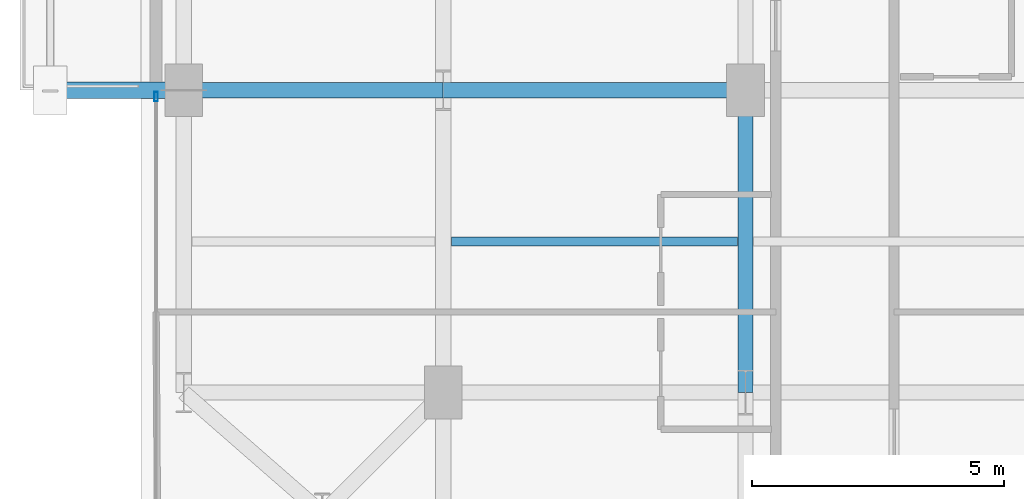
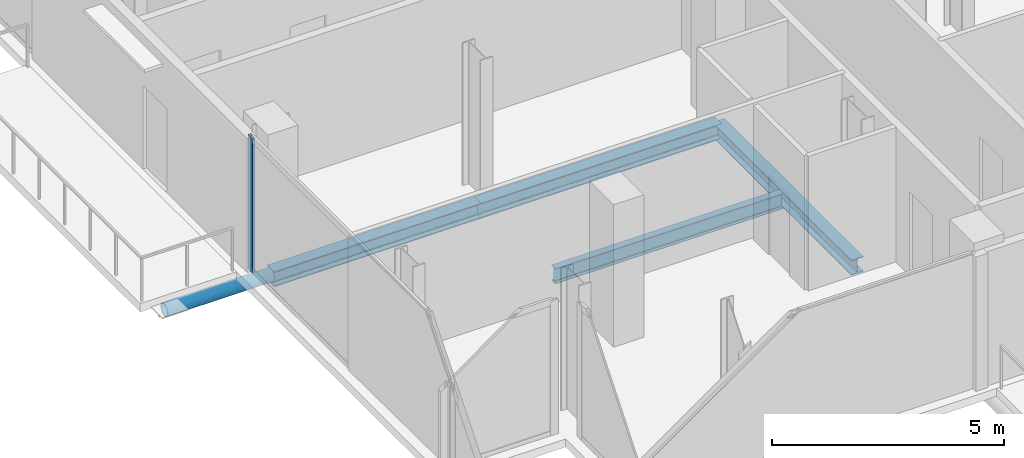
# One storey, part 3 of 21: 4 beams, 2 members, 1 element without a shape of its own.
"""IFC4 building model written with IfcOpenShell, lengths in metres."""

import ifcopenshell
import ifcopenshell.guid

model = None  # the IFC model being written
_history = None  # IfcOwnerHistory: only IFC2X3 demands one
_inside = {}  # id of a spatial element -> (the spatial element, [elements in it])
_under = {}  # id of a project, library or spatial element -> (it, [spatial elements below it])
_declared = {}  # id of a project -> (the project, [libraries it declares])
_typed = {}  # id of a type object -> (the type object, [elements of that type])
_made_of = {}  # id of a material, layer set ... -> (it, [elements and type objects made of it])


def new_model(schema):
    """Start an empty IFC model of exactly this schema.

    Asked for "IFC4X3", IfcOpenShell would pick the latest addendum, in which some entities
    have other attributes; the version numbers below select the first issue.
    IFC2X3 requires an IfcOwnerHistory on every rooted entity: one is made here for all.
    """
    global model, _history
    if schema == "IFC4X3":
        model = ifcopenshell.file(schema_version=(4, 3, 0, 0))
    else:
        model = ifcopenshell.file(schema=schema)
    _inside.clear()
    _under.clear()
    _declared.clear()
    _typed.clear()
    _made_of.clear()
    _history = None
    if model.schema == "IFC2X3":
        org = make("IfcOrganization", Name="unknown")
        user = make(
            "IfcPersonAndOrganization",
            ThePerson=make("IfcPerson", FamilyName="unknown"),
            TheOrganization=org,
        )
        app = make(
            "IfcApplication",
            ApplicationDeveloper=org,
            Version="unknown",
            ApplicationFullName="unknown",
            ApplicationIdentifier="unknown",
        )
        _history = make(
            "IfcOwnerHistory",
            OwningUser=user,
            OwningApplication=app,
            ChangeAction="ADDED",
            CreationDate=0,
        )
    return model


def make(cls, **values):
    """One entity of the class cls with the attributes given. An attribute that is None is left unset."""
    return model.create_entity(
        cls, **{name: value for name, value in values.items() if value is not None}
    )


def rooted(cls, **values):
    """An entity with a GlobalId (a new one), such as an element, a storey or a relation."""
    return make(cls, GlobalId=ifcopenshell.guid.new(), OwnerHistory=_history, **values)


def si_unit(unit_type, name, prefix=None):
    """IfcSIUnit, for example si_unit("LENGTHUNIT", "METRE", prefix="MILLI")."""
    return make("IfcSIUnit", UnitType=unit_type, Prefix=prefix, Name=name)


def assignment(units):
    """IfcUnitAssignment: the units of a project."""
    return None if units is None else make("IfcUnitAssignment", Units=units)


def point(xyz):
    """IfcCartesianPoint."""
    return None if xyz is None else make("IfcCartesianPoint", Coordinates=xyz)


def direction(xyz):
    """IfcDirection."""
    return None if xyz is None else make("IfcDirection", DirectionRatios=xyz)


def frame(location, z_axis=None, x_axis=None):
    """IfcAxis2Placement3D, a coordinate frame: its origin and axes. An axis left out is left unset."""
    return make(
        "IfcAxis2Placement3D",
        Location=point(location),
        Axis=direction(z_axis),
        RefDirection=direction(x_axis),
    )


def frame_2d(location, x_axis=None):
    """IfcAxis2Placement2D, a coordinate frame in the plane: its origin and x axis."""
    return make(
        "IfcAxis2Placement2D", Location=point(location), RefDirection=direction(x_axis)
    )


def origin():
    """The frame at (0, 0, 0) with its axes left unset."""
    return frame((0.0, 0.0, 0.0))


def origin_2d():
    """The frame at (0, 0) in the plane with its x axis left unset."""
    return frame_2d((0.0, 0.0))


def place(relative_to, where):
    """IfcLocalPlacement: puts the frame where relative to a parent placement (None: the world)."""
    return make(
        "IfcLocalPlacement", PlacementRelTo=relative_to, RelativePlacement=where
    )


def context(
    kind, dimensions, precision=None, world=None, true_north=None, identifier=None
):
    """IfcGeometricRepresentationContext, for example the 3D "Model" context."""
    return make(
        "IfcGeometricRepresentationContext",
        ContextIdentifier=identifier,
        ContextType=kind,
        CoordinateSpaceDimension=dimensions,
        Precision=precision,
        WorldCoordinateSystem=world,
        TrueNorth=true_north,
    )


def subcontext(parent, identifier, kind, view, scale=None):
    """IfcGeometricRepresentationSubContext, for example "Body" below "Model"."""
    return make(
        "IfcGeometricRepresentationSubContext",
        ContextIdentifier=identifier,
        ContextType=kind,
        ParentContext=parent,
        TargetScale=scale,
        TargetView=view,
    )


def project(units=None, contexts=None):
    """IfcProject with its units and contexts."""
    return rooted(
        "IfcProject",
        Name="project",
        RepresentationContexts=contexts,
        UnitsInContext=assignment(units),
    )


def spatial(cls, under=None, at=None, **own):
    """A site, building, storey or space (cls), placed at a placement, below another one or the project."""
    s = rooted(cls, ObjectPlacement=at, **own)
    if under is not None:
        _under.setdefault(under.id(), (under, []))[1].append(s)
    return s


def profile(cls, at=None, kind="AREA", **sizes):
    """A parametric profile (cls). Its sizes go by their IFC names, for example OverallWidth=200.0."""
    return make(cls, ProfileType=kind, Position=at, **sizes)


def hollow_rectangle(**sizes):
    """IfcRectangleHollowProfileDef."""
    return profile("IfcRectangleHollowProfileDef", **sizes)


def hollow_circle(**sizes):
    """IfcCircleHollowProfileDef."""
    return profile("IfcCircleHollowProfileDef", **sizes)


def i_section(**sizes):
    """IfcIShapeProfileDef."""
    return profile("IfcIShapeProfileDef", **sizes)


def extrude(swept, where, along, depth):
    """IfcExtrudedAreaSolid: the profile swept, set in the frame where, extruded along a direction by depth."""
    return make(
        "IfcExtrudedAreaSolid",
        SweptArea=swept,
        Position=where,
        ExtrudedDirection=direction(along),
        Depth=depth,
    )


def shape(context_of_items, identifier, shape_type, items):
    """IfcShapeRepresentation: the items that make up one representation, for example the "Body"."""
    return make(
        "IfcShapeRepresentation",
        ContextOfItems=context_of_items,
        RepresentationIdentifier=identifier,
        RepresentationType=shape_type,
        Items=items,
    )


def material(Name=None, Category=None):
    """IfcMaterial."""
    return make("IfcMaterial", Name=Name, Category=Category)


def layer(
    of_material, thickness, ventilated=None, Name=None, Category=None, Priority=None
):
    """IfcMaterialLayer: one layer of a wall or slab, of a material (None: an air gap)."""
    return make(
        "IfcMaterialLayer",
        Material=of_material,
        LayerThickness=thickness,
        IsVentilated=ventilated,
        Name=Name,
        Category=Category,
        Priority=Priority,
    )


def layer_set(layers, Name=None):
    """IfcMaterialLayerSet."""
    return make("IfcMaterialLayerSet", MaterialLayers=layers, LayerSetName=Name)


def material_profile(
    of_material, cross_section, Name=None, Category=None, Priority=None
):
    """IfcMaterialProfile: a cross section and its material."""
    return make(
        "IfcMaterialProfile",
        Name=Name,
        Material=of_material,
        Profile=cross_section,
        Priority=Priority,
        Category=Category,
    )


def profile_set(profiles, Name=None, composite=None):
    """IfcMaterialProfileSet."""
    return make(
        "IfcMaterialProfileSet",
        Name=Name,
        MaterialProfiles=profiles,
        CompositeProfile=composite,
    )


def made_of(thing, what):
    """Note that an element or type object is made of a material, layer set ...; save() writes the relation."""
    if what is not None:
        _made_of.setdefault(what.id(), (what, []))[1].append(thing)
    return thing


def type_object(cls, material=None, **own):
    """A type object (cls), such as IfcWallType, which elements share."""
    return made_of(rooted(cls, **own), material)


def element(
    cls,
    number,
    at=None,
    inside=None,
    cuts=None,
    type_object=None,
    material=None,
    context=None,
    identifier="Body",
    shape_type=None,
    held_by="IfcProductDefinitionShape",
    body=None,
    shapes=None,
    **own,
):
    """One element of the class cls, such as IfcWall. Its Tag is "e" and its number.

    at: its placement. inside: the storey or other place that contains it. cuts: it is an
    opening in that element (IfcRelVoidsElement). A single representation is given by context,
    identifier, shape_type and body (its items); several are given by shapes. held_by: the class
    of the entity that holds the representations. save() writes the other relations.
    """
    e = rooted(cls, Tag="e%d" % number, ObjectPlacement=at, **own)
    if body is not None:
        shapes = [shape(context, identifier, shape_type, body)]
    if shapes is not None:
        e.Representation = make(held_by, Representations=shapes)
    if inside is not None:
        _inside.setdefault(inside.id(), (inside, []))[1].append(e)
    if cuts is not None:
        rooted(
            "IfcRelVoidsElement", RelatingBuildingElement=cuts, RelatedOpeningElement=e
        )
    if type_object is not None:
        _typed.setdefault(type_object.id(), (type_object, []))[1].append(e)
    return made_of(e, material)


def aggregate(whole, parts):
    """IfcRelAggregates: a whole, such as a stair, and the parts it consists of."""
    return rooted("IfcRelAggregates", RelatingObject=whole, RelatedObjects=parts)


def save(model, path):
    """Write the relations noted so far, then the file.

    IfcRelAggregates (storeys below a building ...), IfcRelContainedInSpatialStructure (elements
    in a storey), IfcRelDefinesByType, IfcRelAssociatesMaterial and IfcRelDeclares: one each for
    every whole, place, type object, material and project.
    """
    for whole, parts in _under.values():
        aggregate(whole, parts)
    for where, things in _inside.values():
        rooted(
            "IfcRelContainedInSpatialStructure",
            RelatedElements=things,
            RelatingStructure=where,
        )
    for kind, things in _typed.values():
        rooted("IfcRelDefinesByType", RelatedObjects=things, RelatingType=kind)
    for what, things in _made_of.values():
        rooted("IfcRelAssociatesMaterial", RelatedObjects=things, RelatingMaterial=what)
    for by, libraries in _declared.values():
        rooted("IfcRelDeclares", RelatingContext=by, RelatedDefinitions=libraries)
    model.write(path)


model = new_model("IFC4")

# Units and contexts
model_context = context("Model", 3, precision=1e-05, world=origin(), true_north=direction((0.0, 1.0)))
body_context = subcontext(model_context, "Body", "Model", "MODEL_VIEW")
ifc_project = project(units=[si_unit("LENGTHUNIT", "METRE"), si_unit("AREAUNIT", "SQUARE_METRE"), si_unit("VOLUMEUNIT", "CUBIC_METRE"), si_unit("PLANEANGLEUNIT", "RADIAN"), si_unit("MASSUNIT", "GRAM", prefix="KILO"), si_unit("THERMODYNAMICTEMPERATUREUNIT", "KELVIN"), si_unit("POWERUNIT", "WATT")], contexts=[model_context])

# Site, building, storey
site_placement = place(None, origin())
site = spatial("IfcSite", under=ifc_project, at=site_placement, CompositionType="ELEMENT")
building_placement = place(site_placement, origin())
building = spatial("IfcBuilding", under=site, at=building_placement, Name="Svarakhadi Broadcast Tower", CompositionType="ELEMENT")
storey_placement = place(building_placement, frame((0.0, 0.0, 208.64990234375)))
storey = spatial("IfcBuildingStorey", under=building, at=storey_placement, Name="L51", CompositionType="ELEMENT", Elevation=208.64990234375)

# Beam
ifc_material_1 = material(Name="Steel S355J2 (IS 2062 E350C)", Category="steel")
ifc_material_profile_1 = material_profile(ifc_material_1, i_section(OverallWidth=0.179931640625, OverallDepth=0.39990234375, WebThickness=0.008544921875, FlangeThickness=0.013427734375, FilletRadius=0.02099609375, at=origin_2d()), Name="NPB 400x180x66")
ifc_profile_set_1 = profile_set([ifc_material_profile_1], Name="Steel S355J2 (IS 2062 E350C)")
beam_type_1 = type_object("IfcBeamType", Name="Beam_NPB400", PredefinedType="BEAM", material=ifc_profile_set_1)
beam_1_placement = place(storey_placement, frame((6.159912109375, 9.0, -0.409912109375), z_axis=(1.0, 0.0, 0.0), x_axis=(0.0, 1.0, 0.0)))
element("IfcBeam", 1, at=beam_1_placement, inside=storey, type_object=beam_type_1, Name="L51 Secondary Composite Beam SB006", PredefinedType="BEAM", context=body_context, shape_type="SweptSolid", body=[
    extrude(i_section(OverallWidth=0.179931640625, OverallDepth=0.39990234375, WebThickness=0.008544921875, FlangeThickness=0.013427734375, FilletRadius=0.02099609375, at=origin_2d()), origin(), (0.0, 0.0, 1.0), 5.68017578125),
])

# Curtain wall, member
ifc_material_2 = material(Name="Anodised Bronze Aluminium AA 6063-T6", Category="aluminium")
ifc_layer = layer(ifc_material_2, 0.18994140625)
ifc_layer_set = layer_set([ifc_layer], Name="Anodised Bronze Aluminium AA 6063-T6")
curtain_wall_type = type_object("IfcCurtainWallType", Name="CW_Sys_04", PredefinedType="NOTDEFINED", material=ifc_layer_set)
curtain_wall_placement = place(storey_placement, origin())
curtain_wall = element("IfcCurtainWall", 2, at=curtain_wall_placement, inside=storey, type_object=curtain_wall_type, Name="L51 West Curtain Wall 02", PredefinedType="NOTDEFINED")
ifc_material_profile_2 = material_profile(ifc_material_2, hollow_rectangle(XDim=0.070068359375, YDim=0.18994140625, WallThickness=0.005615234375, at=origin_2d()), Name="ALU MULLION 190x70x6")
ifc_profile_set_2 = profile_set([ifc_material_profile_2], Name="Anodised Bronze Aluminium AA 6063-T6")
member_type_1 = type_object("IfcMemberType", Name="CW_Sys_04_Mul", PredefinedType="MULLION", material=ifc_profile_set_2)
member_1_placement = place(storey_placement, frame((0.300048828125, 11.875, 0.0), z_axis=(0.0, 0.0, 1.0), x_axis=(-1.0, 0.0, 0.0)))
member_1 = element("IfcMember", 3, at=member_1_placement, type_object=member_type_1, Name="CW-04 mullion 2", PredefinedType="MULLION", context=body_context, shape_type="SweptSolid", body=[
    extrude(hollow_rectangle(XDim=0.070068359375, YDim=0.18994140625, WallThickness=0.005615234375, at=origin_2d()), origin(), (0.0, 0.0, 1.0), 3.5400390625),
])
aggregate(curtain_wall, [member_1])

# Member
ifc_material_3 = material(Name="Steel S460ML (IS 2062 E450BR)", Category="steel")
ifc_material_profile_3 = material_profile(ifc_material_3, hollow_circle(Radius=0.161865234375, WallThickness=0.01611328125, at=origin_2d()), Name="CHS 323.9x16")
ifc_profile_set_3 = profile_set([ifc_material_profile_3], Name="Steel S460ML (IS 2062 E450BR)")
member_type_2 = type_object("IfcMemberType", Name="Exo_Radial_Strut_Z2", PredefinedType="STRUT", material=ifc_profile_set_3)
member_2_placement = place(storey_placement, frame((-1.800048828125, 12.0, -0.371826171875), z_axis=(1.0, 0.0, 0.0), x_axis=(0.0, 1.0, 0.0)))
element("IfcMember", 4, at=member_2_placement, inside=storey, type_object=member_type_2, Name="L51 Exoskeleton Radial Tie Strut W04", PredefinedType="STRUT", context=body_context, shape_type="SweptSolid", body=[
    extrude(hollow_circle(Radius=0.161865234375, WallThickness=0.01611328125, at=origin_2d()), origin(), (0.0, 0.0, 1.0), 2.650146484375),
])

# Beams
ifc_material_profile_4 = material_profile(ifc_material_1, i_section(OverallWidth=0.300048828125, OverallDepth=0.39990234375, WebThickness=0.013427734375, FlangeThickness=0.02392578125, FilletRadius=0.027099609375, at=origin_2d()), Name="WPB 400x300x155")
ifc_profile_set_4 = profile_set([ifc_material_profile_4], Name="Steel S355J2 (IS 2062 E350C)")
beam_type_2 = type_object("IfcBeamType", Name="Girder_WPB400", PredefinedType="USERDEFINED", material=ifc_profile_set_4)
beam_2_placement = place(storey_placement, frame((0.85009765625, 12.0, -0.409912109375), z_axis=(1.0, 0.0, 0.0), x_axis=(0.0, 1.0, 0.0)))
element("IfcBeam", 5, at=beam_2_placement, inside=storey, type_object=beam_type_2, Name="L51 Primary E-W Girder G015", ObjectType="GIRDER", PredefinedType="USERDEFINED", context=body_context, shape_type="SweptSolid", body=[
    extrude(i_section(OverallWidth=0.300048828125, OverallDepth=0.39990234375, WebThickness=0.013427734375, FlangeThickness=0.02392578125, FilletRadius=0.027099609375, at=origin_2d()), origin(), (0.0, 0.0, 1.0), 5.14990234375),
])
for number, where, z_axis, x_axis, name in (
    (6, (6.0, 12.0, -0.409912109375), (1.0, 0.0, 0.0), (0.0, 1.0, 0.0), "L51 Primary E-W Girder G016"),
    (7, (12.0, 6.0, -0.409912109375), (0.0, 1.0, 0.0), (-1.0, 0.0, 0.0), "L51 Primary N-S Girder G043"),
):
    element("IfcBeam", number, at=place(storey_placement, frame(where, z_axis=z_axis, x_axis=x_axis)), inside=storey, type_object=beam_type_2, Name=name, ObjectType="GIRDER", PredefinedType="USERDEFINED", context=body_context, shape_type="SweptSolid", body=[
        extrude(i_section(OverallWidth=0.300048828125, OverallDepth=0.39990234375, WebThickness=0.013427734375, FlangeThickness=0.02392578125, FilletRadius=0.027099609375, at=origin_2d()), origin(), (0.0, 0.0, 1.0), 6.0),
    ])

save(model, "model.ifc")
